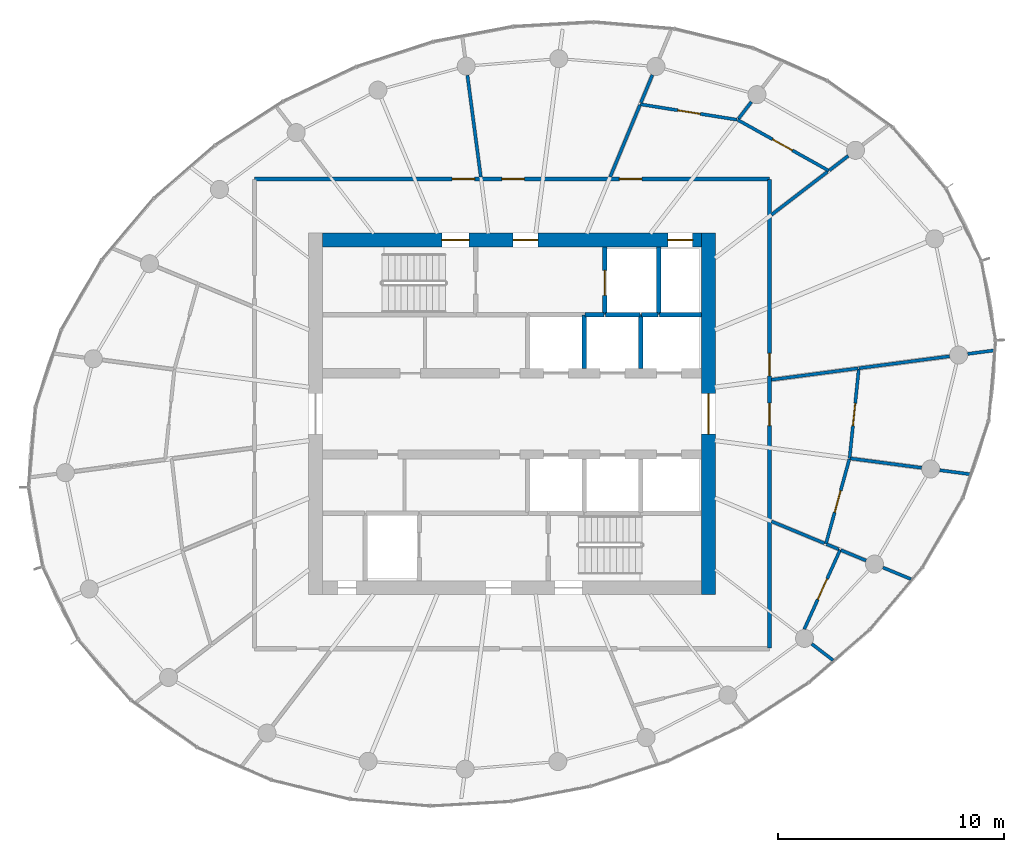
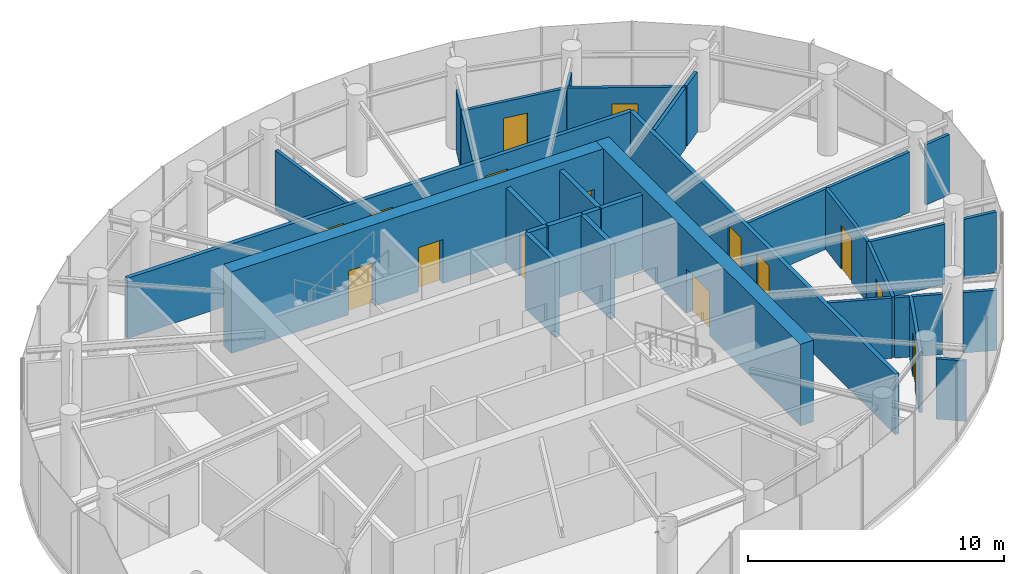
# One storey, part 10 of 13: 33 walls, 15 doors, 15 openings.
"""IFC4 building model written with IfcOpenShell, lengths in metres."""

from ifc_helpers import new_model, si_unit, direction, frame, frame_2d, origin, place, context, subcontext, project, spatial, rectangle, extrude, source, transform, mapped, material, layer, layer_set, type_object, element, fill, save


model = new_model("IFC4")

# Units and contexts
model_context = context("Model", 3, precision=1e-05, world=origin(), true_north=direction((0.0, 1.0)))
body_context = subcontext(model_context, "Body", "Model", "MODEL_VIEW")
ifc_project = project(units=[si_unit("LENGTHUNIT", "METRE"), si_unit("AREAUNIT", "SQUARE_METRE"), si_unit("VOLUMEUNIT", "CUBIC_METRE"), si_unit("PLANEANGLEUNIT", "RADIAN"), si_unit("MASSUNIT", "GRAM", prefix="KILO")], contexts=[model_context])

# Site, building, storey
site_placement = place(None, origin())
site = spatial("IfcSite", under=ifc_project, at=site_placement, CompositionType="ELEMENT")
building_placement = place(site_placement, origin())
building = spatial("IfcBuilding", under=site, at=building_placement, Name="Spindrift Exchange Tower", CompositionType="ELEMENT")
storey_placement = place(building_placement, frame((0.0, 0.0, 250.10009765625)))
storey = spatial("IfcBuildingStorey", under=building, at=storey_placement, Name="L61", CompositionType="ELEMENT", Elevation=250.10009765625)

# Wall, opening, door
ifc_material_1 = material(Name="Concrete 50 MPa", Category="concrete")
ifc_layer_1 = layer(ifc_material_1, 0.60009765625)
ifc_layer_set_1 = layer_set([ifc_layer_1], Name="RC Core Wall 600 Concrete 50 MPa")
wall_type_1 = type_object("IfcWallType", Name="RC Core Wall 600 Concrete 50 MPa", PredefinedType="SHEAR", material=ifc_layer_set_1)
wall_1_placement = place(storey_placement, frame((60.699951171875, 40.0, 0.0), z_axis=(0.0, 0.0, 1.0), x_axis=(0.0, 1.0, 0.0)))
wall_1 = element("IfcWall", 1, at=wall_1_placement, inside=storey, type_object=wall_type_1, Name="Core wall E L61", PredefinedType="SHEAR", context=body_context, shape_type="SweptSolid", body=[
    extrude(rectangle(XDim=16.0, YDim=0.60009765625, at=frame_2d((8.0, 0.0))), origin(), (0.0, 0.0, 1.0), 3.89990234375),
])
opening_1_placement = place(wall_1_placement, frame((7.10009765625, 0.0, 0.0)))
opening_1 = element("IfcOpeningElement", 2, at=opening_1_placement, cuts=wall_1, Name="Opening L61-D2", PredefinedType="OPENING", context=body_context, shape_type="SweptSolid", body=[
    extrude(rectangle(XDim=1.800048828125, YDim=2.10009765625, at=frame_2d((0.89990234375, 1.050048828125))), frame((0.0, 0.31005859375, 0.0), z_axis=(0.0, -1.0, 0.0), x_axis=(1.0, 0.0, 0.0)), (0.0, 0.0, 1.0), 0.6201171875),
])
ifc_material_2 = material(Name="Timber-core fire door", Category="wood")
door_type_1 = type_object("IfcDoorType", Name="DR-LOBBY-1800", OperationType="NOTDEFINED", PredefinedType="DOOR", material=ifc_material_2)
shared_shape_1 = source(origin(), body_context, "Body", "SweptSolid", [
    extrude(rectangle(XDim=1.800048828125, YDim=2.10009765625, at=frame_2d((0.89990234375, 1.050048828125))), frame((0.0, 0.02490234375, 0.0), z_axis=(0.0, -1.0, 0.0), x_axis=(1.0, 0.0, 0.0)), (0.0, 0.0, 1.0), 0.050048828125),
])
door_1_placement = place(opening_1_placement, origin())
door_1 = element("IfcDoor", 3, at=door_1_placement, inside=storey, type_object=door_type_1, Name="L61 Lobby door 2", OperationType="SINGLE_SWING_LEFT", OverallHeight=2.10009765625, OverallWidth=1.800048828125, PredefinedType="DOOR", context=body_context, shape_type="MappedRepresentation", body=[
    mapped(shared_shape_1, transform((0.0, 0.0, 0.0), scale=1.0)),
])
fill(opening_1, door_1)

# Wall, openings, doors
wall_2_placement = place(storey_placement, frame((60.39990234375, 55.699951171875, 0.0), z_axis=(0.0, 0.0, 1.0), x_axis=(-1.0, 0.0, 0.0)))
wall_2 = element("IfcWall", 4, at=wall_2_placement, inside=storey, type_object=wall_type_1, Name="Core wall N L61", PredefinedType="SHEAR", context=body_context, shape_type="SweptSolid", body=[
    extrude(rectangle(XDim=16.7998046875, YDim=0.60009765625, at=frame_2d((8.39990234375, 0.0))), origin(), (0.0, 0.0, 1.0), 3.89990234375),
])
opening_2_placement = place(wall_2_placement, frame((0.39990234375, 0.0, 0.0)))
opening_2 = element("IfcOpeningElement", 5, at=opening_2_placement, cuts=wall_2, Name="Opening L61-D11", PredefinedType="OPENING", context=body_context, shape_type="SweptSolid", body=[
    extrude(rectangle(XDim=1.10009765625, YDim=2.10009765625, at=frame_2d((0.550048828125, 1.050048828125))), frame((0.0, 0.31005859375, 0.0), z_axis=(0.0, -1.0, 0.0), x_axis=(1.0, 0.0, 0.0)), (0.0, 0.0, 1.0), 0.6201171875),
])
opening_3_placement = place(wall_2_placement, frame((10.300048828125, 0.0, 0.0)))
opening_3 = element("IfcOpeningElement", 6, at=opening_3_placement, cuts=wall_2, Name="Opening L61-D12", PredefinedType="OPENING", context=body_context, shape_type="SweptSolid", body=[
    extrude(rectangle(XDim=1.199951171875, YDim=2.10009765625, at=frame_2d((0.60009765625, 1.050048828125))), frame((0.0, 0.31005859375, 0.0), z_axis=(0.0, -1.0, 0.0), x_axis=(1.0, 0.0, 0.0)), (0.0, 0.0, 1.0), 0.6201171875),
])
opening_4_placement = place(wall_2_placement, frame((7.25, 0.0, 0.0)))
opening_4 = element("IfcOpeningElement", 7, at=opening_4_placement, cuts=wall_2, Name="Opening L61-D14", PredefinedType="OPENING", context=body_context, shape_type="SweptSolid", body=[
    extrude(rectangle(XDim=1.10009765625, YDim=2.10009765625, at=frame_2d((0.550048828125, 1.050048828125))), frame((0.0, 0.31005859375, 0.0), z_axis=(0.0, -1.0, 0.0), x_axis=(1.0, 0.0, 0.0)), (0.0, 0.0, 1.0), 0.6201171875),
])
ifc_material_3 = material(Name="Stainless steel landing door", Category="steel")
door_type_2 = type_object("IfcDoorType", Name="DR-LANDING-1100-SL", OperationType="DOUBLE_DOOR_SLIDING", PredefinedType="USERDEFINED", material=ifc_material_3)
shared_shape_2 = source(origin(), body_context, "Body", "SweptSolid", [
    extrude(rectangle(XDim=1.10009765625, YDim=2.10009765625, at=frame_2d((0.550048828125, 1.050048828125))), frame((0.0, 0.02490234375, 0.0), z_axis=(0.0, -1.0, 0.0), x_axis=(1.0, 0.0, 0.0)), (0.0, 0.0, 1.0), 0.050048828125),
])
door_2_placement = place(opening_2_placement, origin())
door_2 = element("IfcDoor", 8, at=door_2_placement, inside=storey, type_object=door_type_2, Name="L61 Lift landing door 11", ObjectType="LANDING DOOR", OperationType="DOUBLE_DOOR_SLIDING", OverallHeight=2.10009765625, OverallWidth=1.10009765625, PredefinedType="USERDEFINED", context=body_context, shape_type="MappedRepresentation", body=[
    mapped(shared_shape_2, transform((0.0, 0.0, 0.0), scale=1.0)),
])
fill(opening_2, door_2)
ifc_material_4 = material(Name="Steel fire door", Category="steel")
door_type_3 = type_object("IfcDoorType", Name="DR-STAIR-1200", OperationType="NOTDEFINED", PredefinedType="DOOR", material=ifc_material_4)
shared_shape_3 = source(origin(), body_context, "Body", "SweptSolid", [
    extrude(rectangle(XDim=1.199951171875, YDim=2.10009765625, at=frame_2d((0.60009765625, 1.050048828125))), frame((0.0, 0.02490234375, 0.0), z_axis=(0.0, -1.0, 0.0), x_axis=(1.0, 0.0, 0.0)), (0.0, 0.0, 1.0), 0.050048828125),
])
door_3_placement = place(opening_3_placement, origin())
door_3 = element("IfcDoor", 9, at=door_3_placement, inside=storey, type_object=door_type_3, Name="L61 Stair door 12", OperationType="SINGLE_SWING_RIGHT", OverallHeight=2.10009765625, OverallWidth=1.199951171875, PredefinedType="DOOR", context=body_context, shape_type="MappedRepresentation", body=[
    mapped(shared_shape_3, transform((0.0, 0.0, 0.0), scale=1.0)),
])
fill(opening_3, door_3)
door_type_4 = type_object("IfcDoorType", Name="DR-LOBBY-1100", OperationType="NOTDEFINED", PredefinedType="DOOR", material=ifc_material_2)
shared_shape_4 = source(origin(), body_context, "Body", "SweptSolid", [
    extrude(rectangle(XDim=1.10009765625, YDim=2.10009765625, at=frame_2d((0.550048828125, 1.050048828125))), frame((0.0, 0.02490234375, 0.0), z_axis=(0.0, -1.0, 0.0), x_axis=(1.0, 0.0, 0.0)), (0.0, 0.0, 1.0), 0.050048828125),
])
door_4_placement = place(opening_4_placement, origin())
door_4 = element("IfcDoor", 10, at=door_4_placement, inside=storey, type_object=door_type_4, Name="L61 Lobby door 14", OperationType="SINGLE_SWING_RIGHT", OverallHeight=2.10009765625, OverallWidth=1.10009765625, PredefinedType="DOOR", context=body_context, shape_type="MappedRepresentation", body=[
    mapped(shared_shape_4, transform((0.0, 0.0, 0.0), scale=1.0)),
])
fill(opening_4, door_4)

ifc_material_5 = material(Name="Fire-rated plasterboard partition", Category="gypsum")
ifc_layer_2 = layer(ifc_material_5, 0.179931640625)
ifc_layer_set_2 = layer_set([ifc_layer_2], Name="W-CORR-180")
wall_type_2 = type_object("IfcWallType", Name="W-CORR-180", PredefinedType="PARTITIONING", material=ifc_layer_set_2)
wall_3_placement = place(storey_placement, frame((40.60009765625, 58.39990234375, 0.0), z_axis=(0.0, 0.0, 1.0), x_axis=(1.0, 0.0, 0.0)))
wall_3 = element("IfcWall", 11, at=wall_3_placement, inside=storey, type_object=wall_type_2, Name="L61 Partition wall 27", PredefinedType="PARTITIONING", context=body_context, shape_type="SweptSolid", body=[
    extrude(rectangle(XDim=22.7998046875, YDim=0.179931640625, at=frame_2d((11.39990234375, 0.0))), origin(), (0.0, 0.0, 1.0), 2.8798828125),
])
opening_5_placement = place(wall_3_placement, frame((16.14990234375, 0.0, 0.0)))
opening_5 = element("IfcOpeningElement", 12, at=opening_5_placement, cuts=wall_3, Name="Opening L61-D31", PredefinedType="OPENING", context=body_context, shape_type="SweptSolid", body=[
    extrude(rectangle(XDim=1.0, YDim=2.10009765625, at=frame_2d((0.5, 1.050048828125))), frame((0.0, 0.099853515625, 0.0), z_axis=(0.0, -1.0, 0.0), x_axis=(1.0, 0.0, 0.0)), (0.0, 0.0, 1.0), 0.199951171875),
])
opening_6_placement = place(wall_3_placement, frame((10.949951171875, 0.0, 0.0)))
opening_6 = element("IfcOpeningElement", 13, at=opening_6_placement, cuts=wall_3, Name="Opening L61-D34", PredefinedType="OPENING", context=body_context, shape_type="SweptSolid", body=[
    extrude(rectangle(XDim=1.0, YDim=2.10009765625, at=frame_2d((0.5, 1.050048828125))), frame((0.0, 0.099853515625, 0.0), z_axis=(0.0, -1.0, 0.0), x_axis=(1.0, 0.0, 0.0)), (0.0, 0.0, 1.0), 0.199951171875),
])
opening_7_placement = place(wall_3_placement, frame((8.75, 0.0, 0.0)))
opening_7 = element("IfcOpeningElement", 14, at=opening_7_placement, cuts=wall_3, Name="Opening L61-D35", PredefinedType="OPENING", context=body_context, shape_type="SweptSolid", body=[
    extrude(rectangle(XDim=1.0, YDim=2.10009765625, at=frame_2d((0.5, 1.050048828125))), frame((0.0, 0.099853515625, 0.0), z_axis=(0.0, -1.0, 0.0), x_axis=(1.0, 0.0, 0.0)), (0.0, 0.0, 1.0), 0.199951171875),
])
door_type_5 = type_object("IfcDoorType", Name="DR-ROOM-1000", OperationType="NOTDEFINED", PredefinedType="DOOR", material=ifc_material_2)
shared_shape_5 = source(origin(), body_context, "Body", "SweptSolid", [
    extrude(rectangle(XDim=1.0, YDim=2.10009765625, at=frame_2d((0.5, 1.050048828125))), frame((0.0, 0.02490234375, 0.0), z_axis=(0.0, -1.0, 0.0), x_axis=(1.0, 0.0, 0.0)), (0.0, 0.0, 1.0), 0.050048828125),
])
door_5_placement = place(opening_5_placement, origin())
door_5 = element("IfcDoor", 15, at=door_5_placement, inside=storey, type_object=door_type_5, Name="L61 Door 31", OperationType="SINGLE_SWING_LEFT", OverallHeight=2.10009765625, OverallWidth=1.0, PredefinedType="DOOR", context=body_context, shape_type="MappedRepresentation", body=[
    mapped(shared_shape_5, transform((0.0, 0.0, 0.0), scale=1.0)),
])
fill(opening_5, door_5)
door_6_placement = place(opening_6_placement, origin())
door_6 = element("IfcDoor", 16, at=door_6_placement, inside=storey, type_object=door_type_5, Name="L61 Door 34", OperationType="SINGLE_SWING_RIGHT", OverallHeight=2.10009765625, OverallWidth=1.0, PredefinedType="DOOR", context=body_context, shape_type="MappedRepresentation", body=[
    mapped(shared_shape_5, transform((0.0, 0.0, 0.0), scale=1.0)),
])
fill(opening_6, door_6)
door_7_placement = place(opening_7_placement, origin())
door_7 = element("IfcDoor", 17, at=door_7_placement, inside=storey, type_object=door_type_5, Name="L61 Door 35", OperationType="SINGLE_SWING_LEFT", OverallHeight=2.10009765625, OverallWidth=1.0, PredefinedType="DOOR", context=body_context, shape_type="MappedRepresentation", body=[
    mapped(shared_shape_5, transform((0.0, 0.0, 0.0), scale=1.0)),
])
fill(opening_7, door_7)

wall_4_placement = place(storey_placement, frame((63.39990234375, 58.3701171875, 0.0), z_axis=(0.0, 0.0, 1.0), x_axis=(0.0, -1.0, 0.0)))
wall_4 = element("IfcWall", 18, at=wall_4_placement, inside=storey, type_object=wall_type_2, Name="L61 Partition wall 29", PredefinedType="PARTITIONING", context=body_context, shape_type="SweptSolid", body=[
    extrude(rectangle(XDim=20.740234375, YDim=0.179931640625, at=frame_2d((10.3701171875, 0.0))), origin(), (0.0, 0.0, 1.0), 2.8798828125),
])
opening_8_placement = place(wall_4_placement, frame((9.889892578125, 0.0, 0.0)))
opening_8 = element("IfcOpeningElement", 19, at=opening_8_placement, cuts=wall_4, Name="Opening L61-D27", PredefinedType="OPENING", context=body_context, shape_type="SweptSolid", body=[
    extrude(rectangle(XDim=1.0, YDim=2.10009765625, at=frame_2d((0.5, 1.050048828125))), frame((0.0, 0.099853515625, 0.0), z_axis=(0.0, -1.0, 0.0), x_axis=(1.0, 0.0, 0.0)), (0.0, 0.0, 1.0), 0.199951171875),
])
opening_9_placement = place(wall_4_placement, frame((7.68994140625, 0.0, 0.0)))
opening_9 = element("IfcOpeningElement", 20, at=opening_9_placement, cuts=wall_4, Name="Opening L61-D30", PredefinedType="OPENING", context=body_context, shape_type="SweptSolid", body=[
    extrude(rectangle(XDim=1.0, YDim=2.10009765625, at=frame_2d((0.5, 1.050048828125))), frame((0.0, 0.099853515625, 0.0), z_axis=(0.0, -1.0, 0.0), x_axis=(1.0, 0.0, 0.0)), (0.0, 0.0, 1.0), 0.199951171875),
])
door_8_placement = place(opening_8_placement, origin())
door_8 = element("IfcDoor", 21, at=door_8_placement, inside=storey, type_object=door_type_5, Name="L61 Door 27", OperationType="SINGLE_SWING_LEFT", OverallHeight=2.10009765625, OverallWidth=1.0, PredefinedType="DOOR", context=body_context, shape_type="MappedRepresentation", body=[
    mapped(shared_shape_5, transform((0.0, 0.0, 0.0), scale=1.0)),
])
fill(opening_8, door_8)
door_9_placement = place(opening_9_placement, origin())
door_9 = element("IfcDoor", 22, at=door_9_placement, inside=storey, type_object=door_type_5, Name="L61 Door 30", OperationType="SINGLE_SWING_RIGHT", OverallHeight=2.10009765625, OverallWidth=1.0, PredefinedType="DOOR", context=body_context, shape_type="MappedRepresentation", body=[
    mapped(shared_shape_5, transform((0.0, 0.0, 0.0), scale=1.0)),
])
fill(opening_9, door_9)

# Wall
ifc_layer_3 = layer(ifc_material_5, 0.139892578125)
ifc_layer_set_3 = layer_set([ifc_layer_3], Name="W-PART-140")
wall_type_3 = type_object("IfcWallType", Name="W-PART-140", PredefinedType="PARTITIONING", material=ifc_layer_set_3)
wall_5_placement = place(storey_placement, frame((50.618896484375, 58.489990234375, 0.0), z_axis=(0.0, 0.0, 1.0), x_axis=(-0.130505936446, 0.991447527887, 0.0)))
element("IfcWall", 23, at=wall_5_placement, inside=storey, type_object=wall_type_3, Name="L61 Partition wall 31", PredefinedType="PARTITIONING", context=body_context, shape_type="SweptSolid", body=[
    extrude(rectangle(XDim=4.5439453125, YDim=0.139892578125, at=frame_2d((2.27197265625, 0.0))), origin(), (0.0, 0.0, 1.0), 2.8798828125),
])

# Wall, opening, door
wall_6_placement = place(storey_placement, frame((61.990966796875, 61.020263671875, 0.0), z_axis=(0.0, 0.0, 1.0), x_axis=(0.873219638233, -0.487326854795, 0.0)))
wall_6 = element("IfcWall", 24, at=wall_6_placement, inside=storey, type_object=wall_type_3, Name="L61 Partition wall 32", PredefinedType="PARTITIONING", context=body_context, shape_type="SweptSolid", body=[
    extrude(rectangle(XDim=4.6259765625, YDim=0.139892578125, at=frame_2d((2.31298828125, 0.0))), origin(), (0.0, 0.0, 1.0), 2.8798828125),
])
opening_10_placement = place(wall_6_placement, frame((1.776123046875, 0.0, 0.0)))
opening_10 = element("IfcOpeningElement", 25, at=opening_10_placement, cuts=wall_6, Name="Opening L61-D32", PredefinedType="OPENING", context=body_context, shape_type="SweptSolid", body=[
    extrude(rectangle(XDim=1.0, YDim=2.10009765625, at=frame_2d((0.5, 1.050048828125))), frame((0.0, 0.079833984375, 0.0), z_axis=(0.0, -1.0, 0.0), x_axis=(1.0, 0.0, 0.0)), (0.0, 0.0, 1.0), 0.159912109375),
])
door_10_placement = place(opening_10_placement, origin())
door_10 = element("IfcDoor", 26, at=door_10_placement, inside=storey, type_object=door_type_5, Name="L61 Door 32", OperationType="SINGLE_SWING_RIGHT", OverallHeight=2.10009765625, OverallWidth=1.0, PredefinedType="DOOR", context=body_context, shape_type="MappedRepresentation", body=[
    mapped(shared_shape_5, transform((0.0, 0.0, 0.0), scale=1.0)),
])
fill(opening_10, door_10)

wall_7_placement = place(storey_placement, frame((57.678466796875, 61.708984375, 0.0), z_axis=(0.0, 0.0, 1.0), x_axis=(0.987490815334, -0.157676534816, 0.0)))
wall_7 = element("IfcWall", 27, at=wall_7_placement, inside=storey, type_object=wall_type_3, Name="L61 Partition wall 34", PredefinedType="PARTITIONING", context=body_context, shape_type="SweptSolid", body=[
    extrude(rectangle(XDim=4.3369140625, YDim=0.139892578125, at=frame_2d((2.16845703125, 0.0))), origin(), (0.0, 0.0, 1.0), 2.8798828125),
])
opening_11_placement = place(wall_7_placement, frame((1.68701171875, 0.0, 0.0)))
opening_11 = element("IfcOpeningElement", 28, at=opening_11_placement, cuts=wall_7, Name="Opening L61-D33", PredefinedType="OPENING", context=body_context, shape_type="SweptSolid", body=[
    extrude(rectangle(XDim=1.0, YDim=2.10009765625, at=frame_2d((0.5, 1.050048828125))), frame((0.0, 0.079833984375, 0.0), z_axis=(0.0, -1.0, 0.0), x_axis=(1.0, 0.0, 0.0)), (0.0, 0.0, 1.0), 0.159912109375),
])
door_11_placement = place(opening_11_placement, origin())
door_11 = element("IfcDoor", 29, at=door_11_placement, inside=storey, type_object=door_type_5, Name="L61 Door 33", OperationType="SINGLE_SWING_LEFT", OverallHeight=2.10009765625, OverallWidth=1.0, PredefinedType="DOOR", context=body_context, shape_type="MappedRepresentation", body=[
    mapped(shared_shape_5, transform((0.0, 0.0, 0.0), scale=1.0)),
])
fill(opening_11, door_11)

# Wall
wall_8_placement = place(storey_placement, frame((67.3583984375, 50.02197265625, 0.0), z_axis=(0.0, 0.0, 1.0), x_axis=(0.991449578653, 0.130490355919, 0.0)))
element("IfcWall", 30, at=wall_8_placement, inside=storey, type_object=wall_type_3, Name="L61 Partition wall 38", PredefinedType="PARTITIONING", context=body_context, shape_type="SweptSolid", body=[
    extrude(rectangle(XDim=4.052490234375, YDim=0.139892578125, at=frame_2d((2.0263671875, 0.0))), origin(), (0.0, 0.0, 1.0), 2.8798828125),
])

# Wall, opening, door
wall_9_placement = place(storey_placement, frame((67.355224609375, 49.9921875, 0.0), z_axis=(0.0, 0.0, 1.0), x_axis=(-0.102108226225, -0.99477329585, 0.0)))
wall_9 = element("IfcWall", 31, at=wall_9_placement, inside=storey, type_object=wall_type_3, Name="L61 Partition wall 39", PredefinedType="PARTITIONING", context=body_context, shape_type="SweptSolid", body=[
    extrude(rectangle(XDim=3.98095703125, YDim=0.139892578125, at=frame_2d((1.990478515625, 0.0))), origin(), (0.0, 0.0, 1.0), 2.8798828125),
])
opening_12_placement = place(wall_9_placement, frame((1.531005859375, 0.0, 0.0)))
opening_12 = element("IfcOpeningElement", 32, at=opening_12_placement, cuts=wall_9, Name="Opening L61-D29", PredefinedType="OPENING", context=body_context, shape_type="SweptSolid", body=[
    extrude(rectangle(XDim=1.0, YDim=2.10009765625, at=frame_2d((0.5, 1.050048828125))), frame((0.0, 0.079833984375, 0.0), z_axis=(0.0, -1.0, 0.0), x_axis=(1.0, 0.0, 0.0)), (0.0, 0.0, 1.0), 0.159912109375),
])
door_12_placement = place(opening_12_placement, origin())
door_12 = element("IfcDoor", 33, at=door_12_placement, inside=storey, type_object=door_type_5, Name="L61 Door 29", OperationType="SINGLE_SWING_LEFT", OverallHeight=2.10009765625, OverallWidth=1.0, PredefinedType="DOOR", context=body_context, shape_type="MappedRepresentation", body=[
    mapped(shared_shape_5, transform((0.0, 0.0, 0.0), scale=1.0)),
])
fill(opening_12, door_12)

# Wall
wall_10_placement = place(storey_placement, frame((63.489990234375, 49.5126953125, 0.0), z_axis=(0.0, 0.0, 1.0), x_axis=(0.991444634679, 0.130527914125, 0.0)))
element("IfcWall", 34, at=wall_10_placement, inside=storey, type_object=wall_type_3, Name="L61 Partition wall 41", PredefinedType="PARTITIONING", context=body_context, shape_type="SweptSolid", body=[
    extrude(rectangle(XDim=3.871826171875, YDim=0.139892578125, at=frame_2d((1.93603515625, 0.0))), origin(), (0.0, 0.0, 1.0), 2.8798828125),
])

# Wall, opening, door
wall_11_placement = place(storey_placement, frame((66.940673828125, 46.003173828125, 0.0), z_axis=(0.0, 0.0, 1.0), x_axis=(-0.266530407872, -0.963826510156, 0.0)))
wall_11 = element("IfcWall", 35, at=wall_11_placement, inside=storey, type_object=wall_type_3, Name="L61 Partition wall 43", PredefinedType="PARTITIONING", context=body_context, shape_type="SweptSolid", body=[
    extrude(rectangle(XDim=3.902099609375, YDim=0.139892578125, at=frame_2d((1.951171875, 0.0))), origin(), (0.0, 0.0, 1.0), 2.8798828125),
])
opening_13_placement = place(wall_11_placement, frame((1.4521484375, 0.0, 0.0)))
opening_13 = element("IfcOpeningElement", 36, at=opening_13_placement, cuts=wall_11, Name="Opening L61-D28", PredefinedType="OPENING", context=body_context, shape_type="SweptSolid", body=[
    extrude(rectangle(XDim=1.0, YDim=2.10009765625, at=frame_2d((0.5, 1.050048828125))), frame((0.0, 0.079833984375, 0.0), z_axis=(0.0, -1.0, 0.0), x_axis=(1.0, 0.0, 0.0)), (0.0, 0.0, 1.0), 0.159912109375),
])
door_13_placement = place(opening_13_placement, origin())
door_13 = element("IfcDoor", 37, at=door_13_placement, inside=storey, type_object=door_type_5, Name="L61 Door 28", OperationType="SINGLE_SWING_RIGHT", OverallHeight=2.10009765625, OverallWidth=1.0, PredefinedType="DOOR", context=body_context, shape_type="MappedRepresentation", body=[
    mapped(shared_shape_5, transform((0.0, 0.0, 0.0), scale=1.0)),
])
fill(opening_13, door_13)

wall_12_placement = place(storey_placement, frame((66.5322265625, 41.98046875, 0.0), z_axis=(0.0, 0.0, 1.0), x_axis=(-0.412147858133, -0.911116975496, 0.0)))
wall_12 = element("IfcWall", 38, at=wall_12_placement, inside=storey, type_object=wall_type_3, Name="L61 Partition wall 45", PredefinedType="PARTITIONING", context=body_context, shape_type="SweptSolid", body=[
    extrude(rectangle(XDim=3.858154296875, YDim=0.139892578125, at=frame_2d((1.92919921875, 0.0))), origin(), (0.0, 0.0, 1.0), 2.8798828125),
])
opening_14_placement = place(wall_12_placement, frame((1.408203125, 0.0, 0.0)))
opening_14 = element("IfcOpeningElement", 39, at=opening_14_placement, cuts=wall_12, Name="Opening L61-D26", PredefinedType="OPENING", context=body_context, shape_type="SweptSolid", body=[
    extrude(rectangle(XDim=1.0, YDim=2.10009765625, at=frame_2d((0.5, 1.050048828125))), frame((0.0, 0.079833984375, 0.0), z_axis=(0.0, -1.0, 0.0), x_axis=(1.0, 0.0, 0.0)), (0.0, 0.0, 1.0), 0.159912109375),
])
door_14_placement = place(opening_14_placement, origin())
door_14 = element("IfcDoor", 40, at=door_14_placement, inside=storey, type_object=door_type_5, Name="L61 Door 26", OperationType="SINGLE_SWING_RIGHT", OverallHeight=2.10009765625, OverallWidth=1.0, PredefinedType="DOOR", context=body_context, shape_type="MappedRepresentation", body=[
    mapped(shared_shape_5, transform((0.0, 0.0, 0.0), scale=1.0)),
])
fill(opening_14, door_14)

# Walls
wall_13_placement = place(storey_placement, frame((56.34521484375, 58.489990234375, 0.0), z_axis=(0.0, 0.0, 1.0), x_axis=(0.382647254791, 0.923894516923, 0.0)))
element("IfcWall", 41, at=wall_13_placement, inside=storey, type_object=wall_type_3, Name="L61 Partition wall 47", PredefinedType="PARTITIONING", context=body_context, shape_type="SweptSolid", body=[
    extrude(rectangle(XDim=3.454345703125, YDim=0.139892578125, at=frame_2d((1.72705078125, 0.0))), origin(), (0.0, 0.0, 1.0), 2.8798828125),
])
wall_14_placement = place(storey_placement, frame((63.489990234375, 56.816650390625, 0.0), z_axis=(0.0, 0.0, 1.0), x_axis=(0.79337248494, 0.608736478404, 0.0)))
element("IfcWall", 42, at=wall_14_placement, inside=storey, type_object=wall_type_3, Name="L61 Partition wall 48", PredefinedType="PARTITIONING", context=body_context, shape_type="SweptSolid", body=[
    extrude(rectangle(XDim=3.1259765625, YDim=0.139892578125, at=frame_2d((1.56298828125, 0.0))), origin(), (0.0, 0.0, 1.0), 2.8798828125),
])
wall_15_placement = place(storey_placement, frame((66.978515625, 46.028076171875, 0.0), z_axis=(0.0, 0.0, 1.0), x_axis=(0.991447255609, -0.13050800491, 0.0)))
element("IfcWall", 43, at=wall_15_placement, inside=storey, type_object=wall_type_3, Name="L61 Partition wall 49", PredefinedType="PARTITIONING", context=body_context, shape_type="SweptSolid", body=[
    extrude(rectangle(XDim=3.187744140625, YDim=0.139892578125, at=frame_2d((1.59375, 0.0))), origin(), (0.0, 0.0, 1.0), 2.8798828125),
])
wall_16_placement = place(storey_placement, frame((63.489990234375, 43.24072265625, 0.0), z_axis=(0.0, 0.0, 1.0), x_axis=(0.923857420899, -0.382736810157, 0.0)))
element("IfcWall", 44, at=wall_16_placement, inside=storey, type_object=wall_type_3, Name="L61 Partition wall 53", PredefinedType="PARTITIONING", context=body_context, shape_type="SweptSolid", body=[
    extrude(rectangle(XDim=2.538818359375, YDim=0.139892578125, at=frame_2d((1.26953125, 0.0))), origin(), (0.0, 0.0, 1.0), 2.8798828125),
])
wall_17_placement = place(storey_placement, frame((57.7060546875, 61.775390625, 0.0), z_axis=(0.0, 0.0, 1.0), x_axis=(0.382718021359, 0.923865204522, 0.0)))
element("IfcWall", 45, at=wall_17_placement, inside=storey, type_object=wall_type_3, Name="L61 Partition wall 62", PredefinedType="PARTITIONING", context=body_context, shape_type="SweptSolid", body=[
    extrude(rectangle(XDim=1.33447265625, YDim=0.139892578125, at=frame_2d((0.667236328125, 0.0))), origin(), (0.0, 0.0, 1.0), 2.8798828125),
])
wall_18_placement = place(storey_placement, frame((70.941162109375, 45.50634765625, 0.0), z_axis=(0.0, 0.0, 1.0), x_axis=(0.991453684747, -0.130459154536, 0.0)))
element("IfcWall", 46, at=wall_18_placement, inside=storey, type_object=wall_type_3, Name="L61 Partition wall 66", PredefinedType="PARTITIONING", context=body_context, shape_type="SweptSolid", body=[
    extrude(rectangle(XDim=1.360595703125, YDim=0.139892578125, at=frame_2d((0.68017578125, 0.0))), origin(), (0.0, 0.0, 1.0), 2.8798828125),
])
wall_19_placement = place(storey_placement, frame((68.42578125, 41.1962890625, 0.0), z_axis=(0.0, 0.0, 1.0), x_axis=(0.923888145957, -0.382662637005, 0.0)))
element("IfcWall", 47, at=wall_19_placement, inside=storey, type_object=wall_type_3, Name="L61 Partition wall 68", PredefinedType="PARTITIONING", context=body_context, shape_type="SweptSolid", body=[
    extrude(rectangle(XDim=1.341064453125, YDim=0.139892578125, at=frame_2d((0.67041015625, 0.0))), origin(), (0.0, 0.0, 1.0), 2.8798828125),
])
wall_20_placement = place(storey_placement, frame((66.56005859375, 41.968994140625, 0.0), z_axis=(0.0, 0.0, 1.0), x_axis=(0.923839645741, -0.382779713358, 0.0)))
element("IfcWall", 48, at=wall_20_placement, inside=storey, type_object=wall_type_3, Name="L61 Partition wall 70", PredefinedType="PARTITIONING", context=body_context, shape_type="SweptSolid", body=[
    extrude(rectangle(XDim=1.209228515625, YDim=0.139892578125, at=frame_2d((0.6044921875, 0.0))), origin(), (0.0, 0.0, 1.0), 2.8798828125),
])
wall_21_placement = place(storey_placement, frame((65.27392578125, 37.814453125, 0.0), z_axis=(0.0, 0.0, 1.0), x_axis=(0.793454460627, -0.608629623754, 0.0)))
element("IfcWall", 49, at=wall_21_placement, inside=storey, type_object=wall_type_3, Name="L61 Partition wall 71", PredefinedType="PARTITIONING", context=body_context, shape_type="SweptSolid", body=[
    extrude(rectangle(XDim=1.190185546875, YDim=0.139892578125, at=frame_2d((0.59521484375, 0.0))), origin(), (0.0, 0.0, 1.0), 2.8798828125),
])
wall_22_placement = place(storey_placement, frame((72.178466796875, 50.656494140625, 0.0), z_axis=(0.0, 0.0, 1.0), x_axis=(0.991431107299, 0.130630622292, 0.0)))
element("IfcWall", 50, at=wall_22_placement, inside=storey, type_object=wall_type_3, Name="L61 Partition wall 72", PredefinedType="PARTITIONING", context=body_context, shape_type="SweptSolid", body=[
    extrude(rectangle(XDim=1.1474609375, YDim=0.139892578125, at=frame_2d((0.57373046875, 0.0))), origin(), (0.0, 0.0, 1.0), 2.8798828125),
])
wall_23_placement = place(storey_placement, frame((66.05419921875, 58.7841796875, 0.0), z_axis=(0.0, 0.0, 1.0), x_axis=(0.793348442071, 0.608767812441, 0.0)))
element("IfcWall", 51, at=wall_23_placement, inside=storey, type_object=wall_type_3, Name="L61 Partition wall 75", PredefinedType="PARTITIONING", context=body_context, shape_type="SweptSolid", body=[
    extrude(rectangle(XDim=1.051513671875, YDim=0.139892578125, at=frame_2d((0.52587890625, 0.0))), origin(), (0.0, 0.0, 1.0), 2.8798828125),
])
wall_24_placement = place(storey_placement, frame((62.033935546875, 61.076416015625, 0.0), z_axis=(0.0, 0.0, 1.0), x_axis=(0.608734333178, 0.793374130919, 0.0)))
element("IfcWall", 52, at=wall_24_placement, inside=storey, type_object=wall_type_3, Name="L61 Partition wall 76", PredefinedType="PARTITIONING", context=body_context, shape_type="SweptSolid", body=[
    extrude(rectangle(XDim=0.930908203125, YDim=0.139892578125, at=frame_2d((0.46533203125, 0.0))), origin(), (0.0, 0.0, 1.0), 2.8798828125),
])
wall_25_placement = place(storey_placement, frame((65.928466796875, 42.230712890625, 0.0), z_axis=(0.0, 0.0, 1.0), x_axis=(0.923817916436, -0.382832152871, 0.0)))
element("IfcWall", 53, at=wall_25_placement, inside=storey, type_object=wall_type_3, Name="L61 Partition wall 81", PredefinedType="PARTITIONING", context=body_context, shape_type="SweptSolid", body=[
    extrude(rectangle(XDim=0.58349609375, YDim=0.139892578125, at=frame_2d((0.291748046875, 0.0))), origin(), (0.0, 0.0, 1.0), 2.8798828125),
])

# Wall, opening, door
ifc_material_6 = material(Name="Concrete 40 MPa", Category="concrete")
ifc_layer_4 = layer(ifc_material_6, 0.199951171875)
ifc_layer_set_4 = layer_set([ifc_layer_4], Name="W-SHAFT-200")
wall_type_4 = type_object("IfcWallType", Name="W-SHAFT-200", PredefinedType="SOLIDWALL", material=ifc_layer_set_4)
wall_26_placement = place(storey_placement, frame((56.10009765625, 55.3798828125, 0.0), z_axis=(0.0, 0.0, 1.0), x_axis=(0.0, -1.0, 0.0)))
wall_26 = element("IfcWall", 54, at=wall_26_placement, inside=storey, type_object=wall_type_4, Name="L61 Shaft wall 7", PredefinedType="SOLIDWALL", context=body_context, shape_type="SweptSolid", body=[
    extrude(rectangle(XDim=2.97998046875, YDim=0.199951171875, at=frame_2d((1.489990234375, 0.0))), origin(), (0.0, 0.0, 1.0), 3.579833984375),
])
opening_15_placement = place(wall_26_placement, frame((1.030029296875, 0.0, 0.0)))
opening_15 = element("IfcOpeningElement", 55, at=opening_15_placement, cuts=wall_26, Name="Opening L61-D9", PredefinedType="OPENING", context=body_context, shape_type="SweptSolid", body=[
    extrude(rectangle(XDim=1.10009765625, YDim=2.10009765625, at=frame_2d((0.550048828125, 1.050048828125))), frame((0.0, 0.10986328125, 0.0), z_axis=(0.0, -1.0, 0.0), x_axis=(1.0, 0.0, 0.0)), (0.0, 0.0, 1.0), 0.219970703125),
])
door_15_placement = place(opening_15_placement, origin())
door_15 = element("IfcDoor", 56, at=door_15_placement, inside=storey, type_object=door_type_2, Name="L61 Lift landing door 9", ObjectType="LANDING DOOR", OperationType="DOUBLE_DOOR_SLIDING", OverallHeight=2.10009765625, OverallWidth=1.10009765625, PredefinedType="USERDEFINED", context=body_context, shape_type="MappedRepresentation", body=[
    mapped(shared_shape_2, transform((0.0, 0.0, 0.0), scale=1.0)),
])
fill(opening_15, door_15)

# Walls
wall_27_placement = place(storey_placement, frame((58.5, 52.39990234375, 0.0), z_axis=(0.0, 0.0, 1.0), x_axis=(0.0, 1.0, 0.0)))
element("IfcWall", 57, at=wall_27_placement, inside=storey, type_object=wall_type_4, Name="L61 Shaft wall 8", PredefinedType="SOLIDWALL", context=body_context, shape_type="SweptSolid", body=[
    extrude(rectangle(XDim=2.97998046875, YDim=0.199951171875, at=frame_2d((1.489990234375, 0.0))), origin(), (0.0, 0.0, 1.0), 3.579833984375),
])
wall_28_placement = place(storey_placement, frame((55.199951171875, 50.010009765625, 0.0), z_axis=(0.0, 0.0, 1.0), x_axis=(0.0, 1.0, 0.0)))
element("IfcWall", 58, at=wall_28_placement, inside=storey, type_object=wall_type_4, Name="L61 Shaft wall 16", PredefinedType="SOLIDWALL", context=body_context, shape_type="SweptSolid", body=[
    extrude(rectangle(XDim=2.360107421875, YDim=0.199951171875, at=frame_2d((1.18017578125, 0.0))), origin(), (0.0, 0.0, 1.0), 3.579833984375),
])
wall_29_placement = place(storey_placement, frame((57.699951171875, 50.010009765625, 0.0), z_axis=(0.0, 0.0, 1.0), x_axis=(0.0, 1.0, 0.0)))
element("IfcWall", 59, at=wall_29_placement, inside=storey, type_object=wall_type_4, Name="L61 Shaft wall 18", PredefinedType="SOLIDWALL", context=body_context, shape_type="SweptSolid", body=[
    extrude(rectangle(XDim=2.389892578125, YDim=0.199951171875, at=frame_2d((1.19482421875, 0.0))), origin(), (0.0, 0.0, 1.0), 3.579833984375),
])
wall_30_placement = place(storey_placement, frame((60.3798828125, 52.39990234375, 0.0), z_axis=(0.0, 0.0, 1.0), x_axis=(-1.0, 0.0, 0.0)))
element("IfcWall", 60, at=wall_30_placement, inside=storey, type_object=wall_type_4, Name="L61 Shaft wall 21", PredefinedType="SOLIDWALL", context=body_context, shape_type="SweptSolid", body=[
    extrude(rectangle(XDim=1.849853515625, YDim=0.199951171875, at=frame_2d((0.9248046875, 0.0))), origin(), (0.0, 0.0, 1.0), 3.579833984375),
])
wall_31_placement = place(storey_placement, frame((57.669921875, 52.39990234375, 0.0), z_axis=(0.0, 0.0, 1.0), x_axis=(-1.0, 0.0, 0.0)))
element("IfcWall", 61, at=wall_31_placement, inside=storey, type_object=wall_type_4, Name="L61 Shaft wall 23", PredefinedType="SOLIDWALL", context=body_context, shape_type="SweptSolid", body=[
    extrude(rectangle(XDim=1.5400390625, YDim=0.199951171875, at=frame_2d((0.77001953125, 0.0))), origin(), (0.0, 0.0, 1.0), 3.579833984375),
])
wall_32_placement = place(storey_placement, frame((56.070068359375, 52.39990234375, 0.0), z_axis=(0.0, 0.0, 1.0), x_axis=(-1.0, 0.0, 0.0)))
element("IfcWall", 62, at=wall_32_placement, inside=storey, type_object=wall_type_4, Name="L61 Shaft wall 25", PredefinedType="SOLIDWALL", context=body_context, shape_type="SweptSolid", body=[
    extrude(rectangle(XDim=0.840087890625, YDim=0.199951171875, at=frame_2d((0.419921875, 0.0))), origin(), (0.0, 0.0, 1.0), 3.579833984375),
])
wall_33_placement = place(storey_placement, frame((58.469970703125, 52.39990234375, 0.0), z_axis=(0.0, 0.0, 1.0), x_axis=(-1.0, 0.0, 0.0)))
element("IfcWall", 63, at=wall_33_placement, inside=storey, type_object=wall_type_4, Name="L61 Shaft wall 26", PredefinedType="SOLIDWALL", context=body_context, shape_type="SweptSolid", body=[
    extrude(rectangle(XDim=0.739990234375, YDim=0.199951171875, at=frame_2d((0.3701171875, 0.0))), origin(), (0.0, 0.0, 1.0), 3.579833984375),
])

save(model, "model.ifc")
